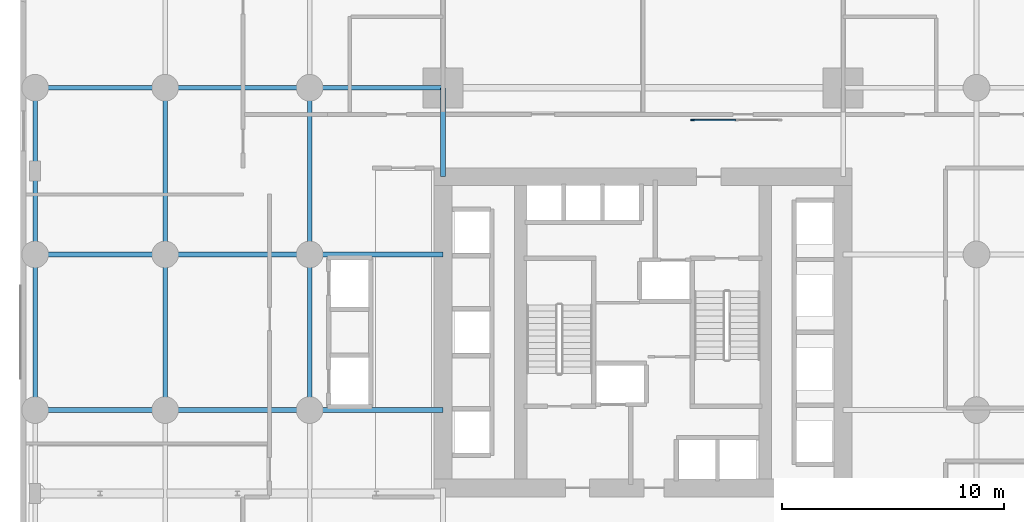
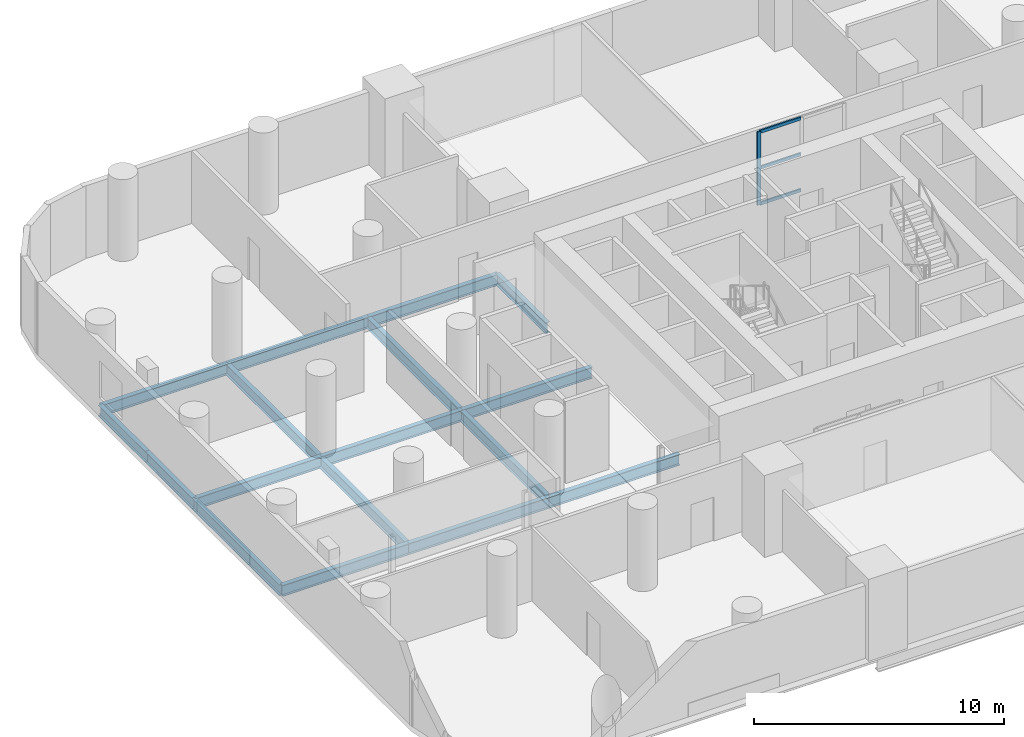
# One storey, part 4 of 15: 17 beams, 4 members, 1 element without a shape of its own.
"""IFC4 building model written with IfcOpenShell, lengths in metres."""

from ifc_helpers import new_model, si_unit, direction, frame, origin, origin_2d, place, context, subcontext, project, spatial, rectangle, i_section, extrude, material, material_profile, profile_set, type_object, element, aggregate, save


model = new_model("IFC4")

# Units and contexts
model_context = context("Model", 3, precision=1e-05, world=origin(), true_north=direction((0.0, 1.0)))
body_context = subcontext(model_context, "Body", "Model", "MODEL_VIEW")
ifc_project = project(units=[si_unit("LENGTHUNIT", "METRE"), si_unit("AREAUNIT", "SQUARE_METRE"), si_unit("VOLUMEUNIT", "CUBIC_METRE"), si_unit("PLANEANGLEUNIT", "RADIAN"), si_unit("MASSUNIT", "GRAM", prefix="KILO")], contexts=[model_context])

# Site, building, storey
site_placement = place(None, origin())
site = spatial("IfcSite", under=ifc_project, at=site_placement, CompositionType="ELEMENT")
building_placement = place(site_placement, origin())
building = spatial("IfcBuilding", under=site, at=building_placement, Name="Veldorim Arch Residences", CompositionType="ELEMENT")
storey_placement = place(building_placement, frame((0.0, 0.0, 16.0)))
storey = spatial("IfcBuildingStorey", under=building, at=storey_placement, Name="L04", CompositionType="ELEMENT", Elevation=16.0)

# Curtain wall, members
ifc_material_1 = material(Name="Aluminium", Category="aluminium")
curtain_wall_type = type_object("IfcCurtainWallType", Name="Crown Faceted Fritted Laminated Curtain Wall", PredefinedType="NOTDEFINED", material=ifc_material_1)
curtain_wall_placement = place(storey_placement, origin())
curtain_wall = element("IfcCurtainWall", 1, at=curtain_wall_placement, inside=storey, type_object=curtain_wall_type, Name="L04 N arch bridge clerestory curtain wall", PredefinedType="NOTDEFINED")
ifc_material_2 = material(Name="Aluminium", Category="aluminium")
ifc_material_profile_1 = material_profile(ifc_material_2, rectangle(XDim=0.070068359375, YDim=0.169921875, at=origin_2d()), Name="ALU_MUL_70x170")
ifc_profile_set_1 = profile_set([ifc_material_profile_1], Name="Aluminium")
member_type_1 = type_object("IfcMemberType", Name="Crown Faceted Fritted Laminated Curtain Wall Mullion 70x170", PredefinedType="MULLION", material=ifc_profile_set_1)
member_1_placement = place(storey_placement, frame((34.235107421875, 33.550048828125, 0.0), z_axis=(0.0, 0.0, 1.0), x_axis=(0.0, 1.0, 0.0)))
member_1 = element("IfcMember", 2, at=member_1_placement, type_object=member_type_1, Name="CW-CRN mullion 1", PredefinedType="MULLION", context=body_context, shape_type="SweptSolid", body=[
    extrude(rectangle(XDim=0.070068359375, YDim=0.169921875, at=origin_2d()), origin(), (0.0, 0.0, 1.0), 3.580078125),
])
ifc_material_3 = material(Name="Aluminium", Category="aluminium")
ifc_material_profile_2 = material_profile(ifc_material_3, rectangle(XDim=0.070068359375, YDim=0.14990234375, at=origin_2d()), Name="ALU_TRN_70x150")
ifc_profile_set_2 = profile_set([ifc_material_profile_2], Name="Aluminium")
member_type_2 = type_object("IfcMemberType", Name="Crown Faceted Fritted Laminated Curtain Wall Transom 70x150", PredefinedType="USERDEFINED", material=ifc_profile_set_2)
member_2_placement = place(storey_placement, frame((34.27001953125, 33.550048828125, 0.034912109375), z_axis=(1.0, 0.0, 0.0), x_axis=(0.0, 1.0, 0.0)))
member_2 = element("IfcMember", 3, at=member_2_placement, type_object=member_type_2, Name="CW-CRN transom 1.1", ObjectType="TRANSOM", PredefinedType="USERDEFINED", context=body_context, shape_type="SweptSolid", body=[
    extrude(rectangle(XDim=0.070068359375, YDim=0.14990234375, at=origin_2d()), origin(), (0.0, 0.0, 1.0), 1.89501953125),
])
member_3_placement = place(storey_placement, frame((34.27001953125, 33.550048828125, 1.7900390625), z_axis=(1.0, 0.0, 0.0), x_axis=(0.0, 1.0, 0.0)))
member_3 = element("IfcMember", 4, at=member_3_placement, type_object=member_type_2, Name="CW-CRN transom 1.2", ObjectType="TRANSOM", PredefinedType="USERDEFINED", context=body_context, shape_type="SweptSolid", body=[
    extrude(rectangle(XDim=0.070068359375, YDim=0.14990234375, at=origin_2d()), origin(), (0.0, 0.0, 1.0), 1.89501953125),
])
member_4_placement = place(storey_placement, frame((34.27001953125, 33.550048828125, 3.544921875), z_axis=(1.0, 0.0, 0.0), x_axis=(0.0, 1.0, 0.0)))
member_4 = element("IfcMember", 5, at=member_4_placement, type_object=member_type_2, Name="CW-CRN transom 1.3", ObjectType="TRANSOM", PredefinedType="USERDEFINED", context=body_context, shape_type="SweptSolid", body=[
    extrude(rectangle(XDim=0.070068359375, YDim=0.14990234375, at=origin_2d()), origin(), (0.0, 0.0, 1.0), 1.89501953125),
])
aggregate(curtain_wall, [member_1, member_2, member_3, member_4])

# Beams
ifc_material_4 = material(Name="Steel S355", Category="steel")
ifc_material_profile_3 = material_profile(ifc_material_4, i_section(OverallWidth=0.2099609375, OverallDepth=0.53662109375, WebThickness=0.0107421875, FlangeThickness=0.017333984375, at=origin_2d()), Name="UB533x210x101")
ifc_profile_set_3 = profile_set([ifc_material_profile_3], Name="Steel S355")
beam_type_1 = type_object("IfcBeamType", Name="Structural Steel Beam UB533x210x101", PredefinedType="BEAM", material=ifc_profile_set_3)
beam_1_placement = place(storey_placement, frame((4.64990234375, 20.5, -0.54833984375), z_axis=(0.0, 1.0, 0.0), x_axis=(-1.0, 0.0, 0.0)))
element("IfcBeam", 6, at=beam_1_placement, inside=storey, type_object=beam_type_1, Name="L04 north-south floor beam (X=4.7, 20.5-27.5)", PredefinedType="BEAM", context=body_context, shape_type="SweptSolid", body=[
    extrude(i_section(OverallWidth=0.2099609375, OverallDepth=0.53662109375, WebThickness=0.0107421875, FlangeThickness=0.017333984375, at=origin_2d()), origin(), (0.0, 0.0, 1.0), 7.0),
])
for number, where, z_axis, x_axis, name in (
    (7, (4.64990234375, 27.5, -0.54833984375), (0.0, 1.0, 0.0), (-1.0, 0.0, 0.0), "L04 north-south floor beam (X=4.7, 27.5-31.2)"),
    (8, (4.64990234375, 31.25, -0.54833984375), (0.0, 1.0, 0.0), (-1.0, 0.0, 0.0), "L04 north-south floor beam (X=4.7, 31.2-35.0)"),
):
    element("IfcBeam", number, at=place(storey_placement, frame(where, z_axis=z_axis, x_axis=x_axis)), inside=storey, type_object=beam_type_1, Name=name, PredefinedType="BEAM", context=body_context, shape_type="SweptSolid", body=[
        extrude(i_section(OverallWidth=0.2099609375, OverallDepth=0.53662109375, WebThickness=0.0107421875, FlangeThickness=0.017333984375, at=origin_2d()), origin(), (0.0, 0.0, 1.0), 3.75),
    ])
beam_2_placement = place(storey_placement, frame((10.5, 20.5, -0.54833984375), z_axis=(0.0, 1.0, 0.0), x_axis=(-1.0, 0.0, 0.0)))
element("IfcBeam", 9, at=beam_2_placement, inside=storey, type_object=beam_type_1, Name="L04 north-south floor beam (X=10.5, 20.5-27.5)", PredefinedType="BEAM", context=body_context, shape_type="SweptSolid", body=[
    extrude(i_section(OverallWidth=0.2099609375, OverallDepth=0.53662109375, WebThickness=0.0107421875, FlangeThickness=0.017333984375, at=origin_2d()), origin(), (0.0, 0.0, 1.0), 7.0),
])
beam_3_placement = place(storey_placement, frame((10.5, 27.5, -0.54833984375), z_axis=(0.0, 1.0, 0.0), x_axis=(-1.0, 0.0, 0.0)))
element("IfcBeam", 10, at=beam_3_placement, inside=storey, type_object=beam_type_1, Name="L04 north-south floor beam (X=10.5, 27.5-35.0)", PredefinedType="BEAM", context=body_context, shape_type="SweptSolid", body=[
    extrude(i_section(OverallWidth=0.2099609375, OverallDepth=0.53662109375, WebThickness=0.0107421875, FlangeThickness=0.017333984375, at=origin_2d()), origin(), (0.0, 0.0, 1.0), 7.5),
])
beam_4_placement = place(storey_placement, frame((17.0, 20.5, -0.54833984375), z_axis=(0.0, 1.0, 0.0), x_axis=(-1.0, 0.0, 0.0)))
element("IfcBeam", 11, at=beam_4_placement, inside=storey, type_object=beam_type_1, Name="L04 north-south floor beam (X=17.0, 20.5-27.5)", PredefinedType="BEAM", context=body_context, shape_type="SweptSolid", body=[
    extrude(i_section(OverallWidth=0.2099609375, OverallDepth=0.53662109375, WebThickness=0.0107421875, FlangeThickness=0.017333984375, at=origin_2d()), origin(), (0.0, 0.0, 1.0), 7.0),
])
beam_5_placement = place(storey_placement, frame((17.0, 27.5, -0.54833984375), z_axis=(0.0, 1.0, 0.0), x_axis=(-1.0, 0.0, 0.0)))
element("IfcBeam", 12, at=beam_5_placement, inside=storey, type_object=beam_type_1, Name="L04 north-south floor beam (X=17.0, 27.5-35.0)", PredefinedType="BEAM", context=body_context, shape_type="SweptSolid", body=[
    extrude(i_section(OverallWidth=0.2099609375, OverallDepth=0.53662109375, WebThickness=0.0107421875, FlangeThickness=0.017333984375, at=origin_2d()), origin(), (0.0, 0.0, 1.0), 7.5),
])
beam_6_placement = place(storey_placement, frame((23.0, 31.0, -0.54833984375), z_axis=(0.0, 1.0, 0.0), x_axis=(-1.0, 0.0, 0.0)))
element("IfcBeam", 13, at=beam_6_placement, inside=storey, type_object=beam_type_1, Name="L04 north-south floor beam (X=23.0, 31.0-35.0)", PredefinedType="BEAM", context=body_context, shape_type="SweptSolid", body=[
    extrude(i_section(OverallWidth=0.2099609375, OverallDepth=0.53662109375, WebThickness=0.0107421875, FlangeThickness=0.017333984375, at=origin_2d()), origin(), (0.0, 0.0, 1.0), 4.0),
])
ifc_material_5 = material(Name="Steel S355", Category="steel")
ifc_material_profile_4 = material_profile(ifc_material_5, i_section(OverallWidth=0.2119140625, OverallDepth=0.54443359375, WebThickness=0.0126953125, FlangeThickness=0.021240234375, at=origin_2d()), Name="UB533x210x122")
ifc_profile_set_4 = profile_set([ifc_material_profile_4], Name="Steel S355")
beam_type_2 = type_object("IfcBeamType", Name="Structural Steel Beam UB533x210x122", PredefinedType="BEAM", material=ifc_profile_set_4)
beam_7_placement = place(storey_placement, frame((4.64990234375, 20.5, -0.55224609375), z_axis=(1.0, 0.0, 0.0), x_axis=(0.0, 1.0, 0.0)))
element("IfcBeam", 14, at=beam_7_placement, inside=storey, type_object=beam_type_2, Name="L04 east-west floor beam (4.7-10.5, Y=20.5)", PredefinedType="BEAM", context=body_context, shape_type="SweptSolid", body=[
    extrude(i_section(OverallWidth=0.2119140625, OverallDepth=0.54443359375, WebThickness=0.0126953125, FlangeThickness=0.021240234375, at=origin_2d()), origin(), (0.0, 0.0, 1.0), 5.85009765625),
])
beam_8_placement = place(storey_placement, frame((10.5, 20.5, -0.55224609375), z_axis=(1.0, 0.0, 0.0), x_axis=(0.0, 1.0, 0.0)))
element("IfcBeam", 15, at=beam_8_placement, inside=storey, type_object=beam_type_2, Name="L04 east-west floor beam (10.5-17.0, Y=20.5)", PredefinedType="BEAM", context=body_context, shape_type="SweptSolid", body=[
    extrude(i_section(OverallWidth=0.2119140625, OverallDepth=0.54443359375, WebThickness=0.0126953125, FlangeThickness=0.021240234375, at=origin_2d()), origin(), (0.0, 0.0, 1.0), 6.5),
])
beam_9_placement = place(storey_placement, frame((17.0, 20.5, -0.55224609375), z_axis=(1.0, 0.0, 0.0), x_axis=(0.0, 1.0, 0.0)))
element("IfcBeam", 16, at=beam_9_placement, inside=storey, type_object=beam_type_2, Name="L04 east-west floor beam (17.0-23.0, Y=20.5)", PredefinedType="BEAM", context=body_context, shape_type="SweptSolid", body=[
    extrude(i_section(OverallWidth=0.2119140625, OverallDepth=0.54443359375, WebThickness=0.0126953125, FlangeThickness=0.021240234375, at=origin_2d()), origin(), (0.0, 0.0, 1.0), 6.0),
])
beam_10_placement = place(storey_placement, frame((4.64990234375, 27.5, -0.55224609375), z_axis=(1.0, 0.0, 0.0), x_axis=(0.0, 1.0, 0.0)))
element("IfcBeam", 17, at=beam_10_placement, inside=storey, type_object=beam_type_2, Name="L04 east-west floor beam (4.7-10.5, Y=27.5)", PredefinedType="BEAM", context=body_context, shape_type="SweptSolid", body=[
    extrude(i_section(OverallWidth=0.2119140625, OverallDepth=0.54443359375, WebThickness=0.0126953125, FlangeThickness=0.021240234375, at=origin_2d()), origin(), (0.0, 0.0, 1.0), 5.85009765625),
])
beam_11_placement = place(storey_placement, frame((10.5, 27.5, -0.55224609375), z_axis=(1.0, 0.0, 0.0), x_axis=(0.0, 1.0, 0.0)))
element("IfcBeam", 18, at=beam_11_placement, inside=storey, type_object=beam_type_2, Name="L04 east-west floor beam (10.5-17.0, Y=27.5)", PredefinedType="BEAM", context=body_context, shape_type="SweptSolid", body=[
    extrude(i_section(OverallWidth=0.2119140625, OverallDepth=0.54443359375, WebThickness=0.0126953125, FlangeThickness=0.021240234375, at=origin_2d()), origin(), (0.0, 0.0, 1.0), 6.5),
])
beam_12_placement = place(storey_placement, frame((17.0, 27.5, -0.55224609375), z_axis=(1.0, 0.0, 0.0), x_axis=(0.0, 1.0, 0.0)))
element("IfcBeam", 19, at=beam_12_placement, inside=storey, type_object=beam_type_2, Name="L04 east-west floor beam (17.0-23.0, Y=27.5)", PredefinedType="BEAM", context=body_context, shape_type="SweptSolid", body=[
    extrude(i_section(OverallWidth=0.2119140625, OverallDepth=0.54443359375, WebThickness=0.0126953125, FlangeThickness=0.021240234375, at=origin_2d()), origin(), (0.0, 0.0, 1.0), 6.0),
])
beam_13_placement = place(storey_placement, frame((4.64990234375, 35.0, -0.55224609375), z_axis=(1.0, 0.0, 0.0), x_axis=(0.0, 1.0, 0.0)))
element("IfcBeam", 20, at=beam_13_placement, inside=storey, type_object=beam_type_2, Name="L04 east-west floor beam (4.7-10.5, Y=35.0)", PredefinedType="BEAM", context=body_context, shape_type="SweptSolid", body=[
    extrude(i_section(OverallWidth=0.2119140625, OverallDepth=0.54443359375, WebThickness=0.0126953125, FlangeThickness=0.021240234375, at=origin_2d()), origin(), (0.0, 0.0, 1.0), 5.85009765625),
])
beam_14_placement = place(storey_placement, frame((10.5, 35.0, -0.55224609375), z_axis=(1.0, 0.0, 0.0), x_axis=(0.0, 1.0, 0.0)))
element("IfcBeam", 21, at=beam_14_placement, inside=storey, type_object=beam_type_2, Name="L04 east-west floor beam (10.5-17.0, Y=35.0)", PredefinedType="BEAM", context=body_context, shape_type="SweptSolid", body=[
    extrude(i_section(OverallWidth=0.2119140625, OverallDepth=0.54443359375, WebThickness=0.0126953125, FlangeThickness=0.021240234375, at=origin_2d()), origin(), (0.0, 0.0, 1.0), 6.5),
])
beam_15_placement = place(storey_placement, frame((17.0, 35.0, -0.55224609375), z_axis=(1.0, 0.0, 0.0), x_axis=(0.0, 1.0, 0.0)))
element("IfcBeam", 22, at=beam_15_placement, inside=storey, type_object=beam_type_2, Name="L04 east-west floor beam (17.0-23.0, Y=35.0)", PredefinedType="BEAM", context=body_context, shape_type="SweptSolid", body=[
    extrude(i_section(OverallWidth=0.2119140625, OverallDepth=0.54443359375, WebThickness=0.0126953125, FlangeThickness=0.021240234375, at=origin_2d()), origin(), (0.0, 0.0, 1.0), 6.0),
])

save(model, "model.ifc")
